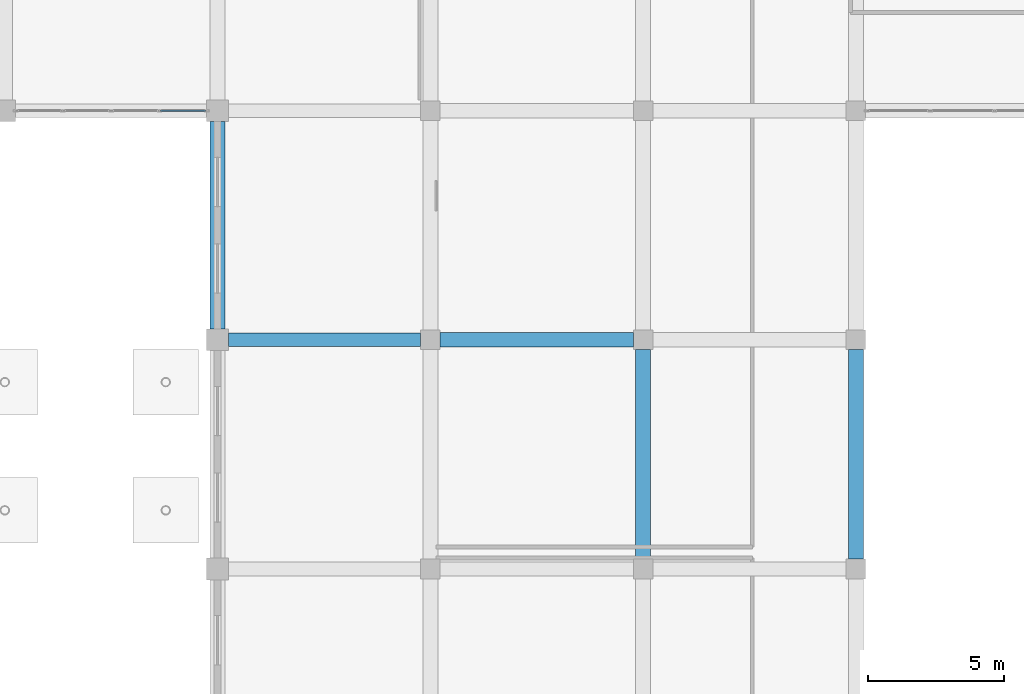
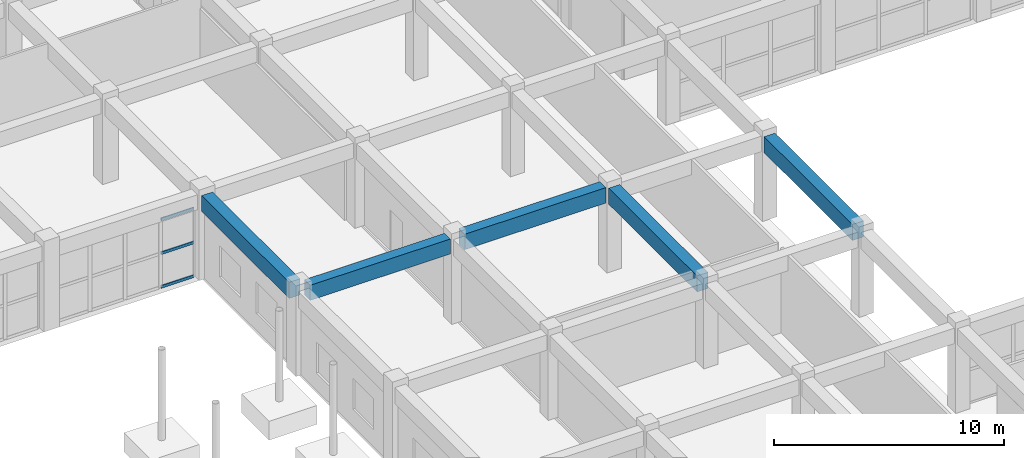
# One storey, part 72 of 139: 5 beams, 3 members, 1 element without a shape of its own.
"""IFC4 building model written with IfcOpenShell, lengths in metres."""

from ifc_helpers import new_model, si_unit, direction, frame, origin, origin_2d, place, context, subcontext, project, spatial, rectangle, hollow_rectangle, extrude, material, layer, layer_set, material_profile, profile_set, type_object, element, aggregate, save


model = new_model("IFC4")

# Units and contexts
model_context = context("Model", 3, precision=1e-05, world=origin(), true_north=direction((0.0, 1.0)))
body_context = subcontext(model_context, "Body", "Model", "MODEL_VIEW")
ifc_project = project(units=[si_unit("LENGTHUNIT", "METRE"), si_unit("AREAUNIT", "SQUARE_METRE"), si_unit("VOLUMEUNIT", "CUBIC_METRE"), si_unit("PLANEANGLEUNIT", "RADIAN"), si_unit("MASSUNIT", "GRAM", prefix="KILO")], contexts=[model_context])

# Site, building, storey
site_placement = place(None, origin())
site = spatial("IfcSite", under=ifc_project, at=site_placement, CompositionType="ELEMENT")
building_placement = place(site_placement, origin())
building = spatial("IfcBuilding", under=site, at=building_placement, Name="Zizhar Promenade General Hospital", CompositionType="ELEMENT")
storey_placement = place(building_placement, origin())
storey = spatial("IfcBuildingStorey", under=building, at=storey_placement, Name="L00", CompositionType="ELEMENT", Elevation=0.0)

# Beams
ifc_material_1 = material(Name="Concrete C35/45", Category="concrete")
ifc_material_profile_1 = material_profile(ifc_material_1, rectangle(XDim=0.5, YDim=0.800048828125, at=origin_2d()))
ifc_profile_set_1 = profile_set([ifc_material_profile_1], Name="Concrete C35/45")
beam_type_1 = type_object("IfcBeamType", Name="BM-RC-500x800", PredefinedType="BEAM", material=ifc_profile_set_1)
beam_1_placement = place(storey_placement, frame((125.199951171875, 84.0, 4.070068359375), z_axis=(1.0, 0.0, 0.0), x_axis=(0.0, 1.0, 0.0)))
element("IfcBeam", 1, at=beam_1_placement, inside=storey, type_object=beam_type_1, Name="Grid Beam X L00 (16-10)", PredefinedType="BEAM", context=body_context, shape_type="SweptSolid", body=[
    extrude(rectangle(XDim=0.5, YDim=0.800048828125, at=origin_2d()), origin(), (0.0, 0.0, 1.0), 7.0400390625),
])
ifc_material_2 = material(Name="Concrete C35/45", Category="concrete")
ifc_material_profile_2 = material_profile(ifc_material_2, rectangle(XDim=0.52001953125, YDim=0.820068359375, at=origin_2d()))
ifc_profile_set_2 = profile_set([ifc_material_profile_2], Name="Concrete C35/45")
beam_type_2 = type_object("IfcBeamType", Name="BM-RC-520x820", PredefinedType="BEAM", material=ifc_profile_set_2)
beam_2_placement = place(storey_placement, frame((132.9599609375, 84.0, 4.06005859375), z_axis=(1.0, 0.0, 0.0), x_axis=(0.0, 1.0, 0.0)))
element("IfcBeam", 2, at=beam_2_placement, inside=storey, type_object=beam_type_2, Name="Grid Beam X L00 (17-10)", PredefinedType="BEAM", context=body_context, shape_type="SweptSolid", body=[
    extrude(rectangle(XDim=0.52001953125, YDim=0.820068359375, at=origin_2d()), origin(), (0.0, 0.0, 1.0), 7.080078125),
])
ifc_material_3 = material(Name="Concrete C35/45", Category="concrete")
ifc_material_profile_3 = material_profile(ifc_material_3, rectangle(XDim=0.550048828125, YDim=0.85009765625, at=origin_2d()))
ifc_profile_set_3 = profile_set([ifc_material_profile_3], Name="Concrete C35/45")
beam_type_3 = type_object("IfcBeamType", Name="BM-RC-550x850", PredefinedType="BEAM", material=ifc_profile_set_3)
beam_3_placement = place(storey_placement, frame((124.800048828125, 84.39990234375, 4.044921875), z_axis=(0.0, 1.0, 0.0), x_axis=(-1.0, 0.0, 0.0)))
element("IfcBeam", 3, at=beam_3_placement, inside=storey, type_object=beam_type_3, Name="Grid Beam Y L00 (16-10)", PredefinedType="BEAM", context=body_context, shape_type="SweptSolid", body=[
    extrude(rectangle(XDim=0.550048828125, YDim=0.85009765625, at=origin_2d()), origin(), (0.0, 0.0, 1.0), 7.60009765625),
])
for number, where, z_axis, x_axis, name in (
    (4, (140.39990234375, 75.9599609375, 4.044921875), (0.0, 1.0, 0.0), (-1.0, 0.0, 0.0), "Grid Beam Y L00 (18-9)"),
    (5, (148.199951171875, 75.9599609375, 4.044921875), (0.0, 1.0, 0.0), (-1.0, 0.0, 0.0), "Grid Beam Y L00 (19-9)"),
):
    element("IfcBeam", number, at=place(storey_placement, frame(where, z_axis=z_axis, x_axis=x_axis)), inside=storey, type_object=beam_type_3, Name=name, PredefinedType="BEAM", context=body_context, shape_type="SweptSolid", body=[
        extrude(rectangle(XDim=0.550048828125, YDim=0.85009765625, at=origin_2d()), origin(), (0.0, 0.0, 1.0), 7.679931640625),
    ])

# Curtain wall, members
ifc_material_4 = material(Name="Anodised aluminium 6063-T6 and low-E glass", Category="aluminium")
ifc_layer = layer(ifc_material_4, 0.159912109375)
ifc_layer_set = layer_set([ifc_layer], Name="Anodised aluminium 6063-T6 and low-E glass")
curtain_wall_type = type_object("IfcCurtainWallType", Name="CW-DT-MOD1", PredefinedType="NOTDEFINED", material=ifc_layer_set)
curtain_wall_placement = place(storey_placement, origin())
curtain_wall = element("IfcCurtainWall", 6, at=curtain_wall_placement, inside=storey, type_object=curtain_wall_type, Name="Garden Court North Surgical Glazing L00-15", PredefinedType="NOTDEFINED")
ifc_material_5 = material(Name="Anodised aluminium 6063-T6", Category="aluminium")
ifc_material_profile_4 = material_profile(ifc_material_5, hollow_rectangle(XDim=0.06005859375, YDim=0.14990234375, WallThickness=0.00390625, at=origin_2d()))
ifc_profile_set_4 = profile_set([ifc_material_profile_4], Name="Anodised aluminium 6063-T6")
member_type = type_object("IfcMemberType", Name="CWT-ALU-150x60", PredefinedType="USERDEFINED", material=ifc_profile_set_4)
member_1_placement = place(storey_placement, frame((124.360107421875, 92.39990234375, 0.030029296875), z_axis=(-1.0, 0.0, 0.0), x_axis=(0.0, -1.0, 0.0)))
member_1 = element("IfcMember", 7, at=member_1_placement, type_object=member_type, Name="CW-07 transom 1.1", ObjectType="TRANSOM", PredefinedType="USERDEFINED", context=body_context, shape_type="SweptSolid", body=[
    extrude(hollow_rectangle(XDim=0.06005859375, YDim=0.14990234375, WallThickness=0.00390625, at=origin_2d()), origin(), (0.0, 0.0, 1.0), 1.650146484375),
])
member_2_placement = place(storey_placement, frame((124.360107421875, 92.39990234375, 1.81494140625), z_axis=(-1.0, 0.0, 0.0), x_axis=(0.0, -1.0, 0.0)))
member_2 = element("IfcMember", 8, at=member_2_placement, type_object=member_type, Name="CW-07 transom 1.2", ObjectType="TRANSOM", PredefinedType="USERDEFINED", context=body_context, shape_type="SweptSolid", body=[
    extrude(hollow_rectangle(XDim=0.06005859375, YDim=0.14990234375, WallThickness=0.00390625, at=origin_2d()), origin(), (0.0, 0.0, 1.0), 1.650146484375),
])
member_3_placement = place(storey_placement, frame((124.360107421875, 92.39990234375, 3.60009765625), z_axis=(-1.0, 0.0, 0.0), x_axis=(0.0, -1.0, 0.0)))
member_3 = element("IfcMember", 9, at=member_3_placement, type_object=member_type, Name="CW-07 transom 1.3", ObjectType="TRANSOM", PredefinedType="USERDEFINED", context=body_context, shape_type="SweptSolid", body=[
    extrude(hollow_rectangle(XDim=0.06005859375, YDim=0.14990234375, WallThickness=0.00390625, at=origin_2d()), origin(), (0.0, 0.0, 1.0), 1.650146484375),
])
aggregate(curtain_wall, [member_1, member_2, member_3])

save(model, "model.ifc")
